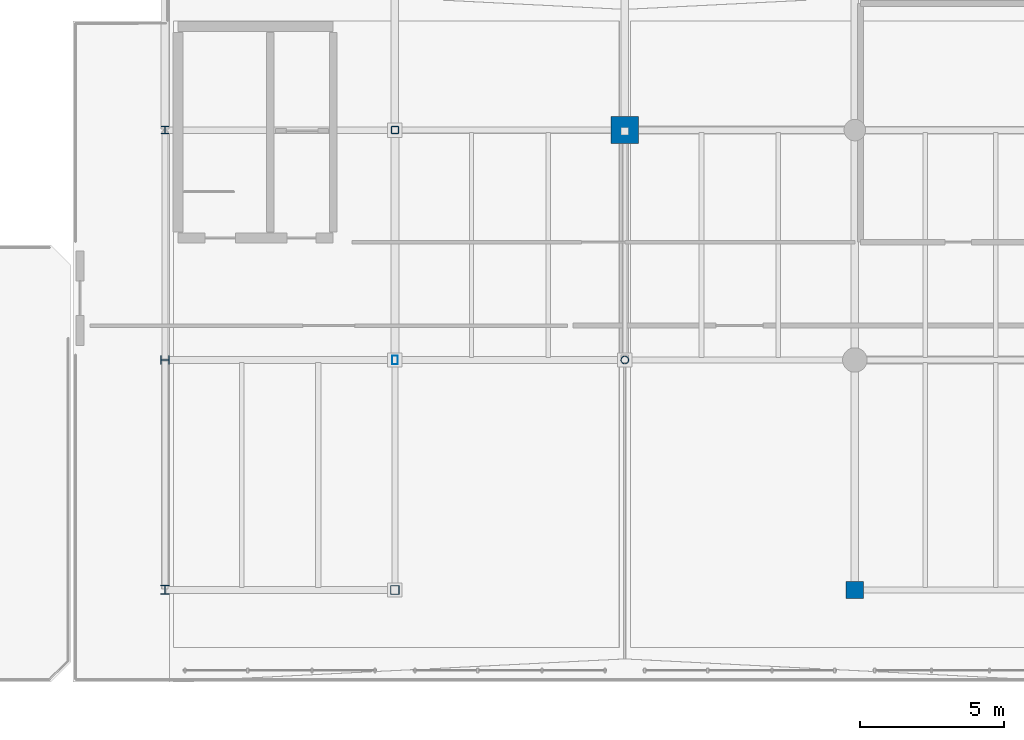
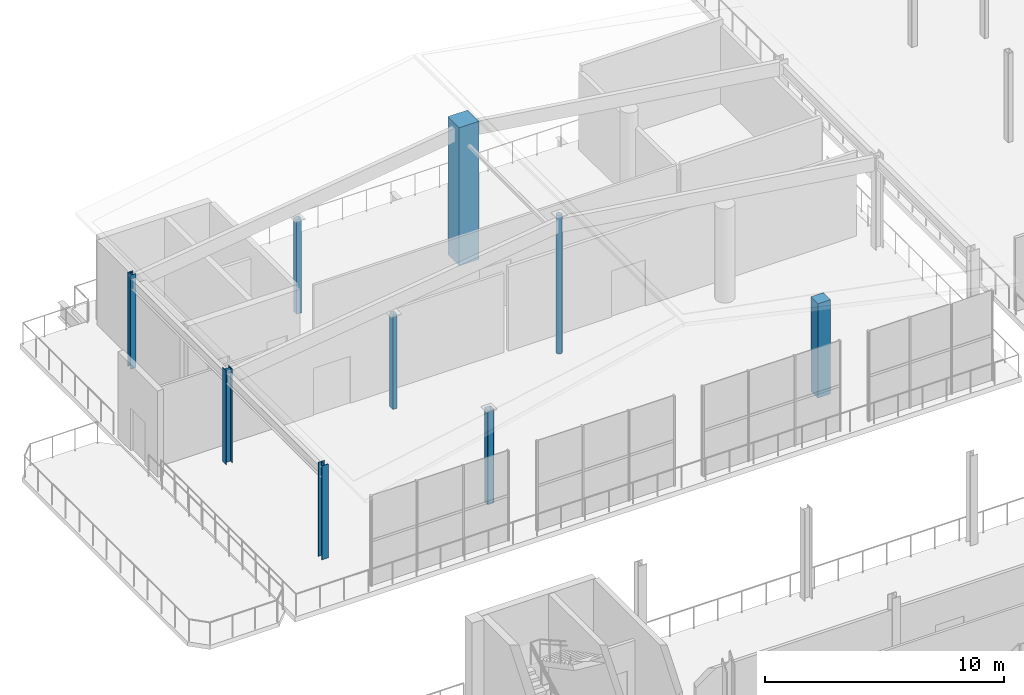
# One storey, part 6 of 70: 9 columns.
"""IFC4 building model written with IfcOpenShell, lengths in metres."""

import ifcopenshell
import ifcopenshell.guid

model = None  # the IFC model being written
_history = None  # IfcOwnerHistory: only IFC2X3 demands one
_inside = {}  # id of a spatial element -> (the spatial element, [elements in it])
_under = {}  # id of a project, library or spatial element -> (it, [spatial elements below it])
_declared = {}  # id of a project -> (the project, [libraries it declares])
_typed = {}  # id of a type object -> (the type object, [elements of that type])
_made_of = {}  # id of a material, layer set ... -> (it, [elements and type objects made of it])


def new_model(schema):
    """Start an empty IFC model of exactly this schema.

    Asked for "IFC4X3", IfcOpenShell would pick the latest addendum, in which some entities
    have other attributes; the version numbers below select the first issue.
    IFC2X3 requires an IfcOwnerHistory on every rooted entity: one is made here for all.
    """
    global model, _history
    if schema == "IFC4X3":
        model = ifcopenshell.file(schema_version=(4, 3, 0, 0))
    else:
        model = ifcopenshell.file(schema=schema)
    _inside.clear()
    _under.clear()
    _declared.clear()
    _typed.clear()
    _made_of.clear()
    _history = None
    if model.schema == "IFC2X3":
        org = make("IfcOrganization", Name="unknown")
        user = make(
            "IfcPersonAndOrganization",
            ThePerson=make("IfcPerson", FamilyName="unknown"),
            TheOrganization=org,
        )
        app = make(
            "IfcApplication",
            ApplicationDeveloper=org,
            Version="unknown",
            ApplicationFullName="unknown",
            ApplicationIdentifier="unknown",
        )
        _history = make(
            "IfcOwnerHistory",
            OwningUser=user,
            OwningApplication=app,
            ChangeAction="ADDED",
            CreationDate=0,
        )
    return model


def make(cls, **values):
    """One entity of the class cls with the attributes given. An attribute that is None is left unset."""
    return model.create_entity(
        cls, **{name: value for name, value in values.items() if value is not None}
    )


def rooted(cls, **values):
    """An entity with a GlobalId (a new one), such as an element, a storey or a relation."""
    return make(cls, GlobalId=ifcopenshell.guid.new(), OwnerHistory=_history, **values)


def si_unit(unit_type, name, prefix=None):
    """IfcSIUnit, for example si_unit("LENGTHUNIT", "METRE", prefix="MILLI")."""
    return make("IfcSIUnit", UnitType=unit_type, Prefix=prefix, Name=name)


def assignment(units):
    """IfcUnitAssignment: the units of a project."""
    return None if units is None else make("IfcUnitAssignment", Units=units)


def point(xyz):
    """IfcCartesianPoint."""
    return None if xyz is None else make("IfcCartesianPoint", Coordinates=xyz)


def direction(xyz):
    """IfcDirection."""
    return None if xyz is None else make("IfcDirection", DirectionRatios=xyz)


def frame(location, z_axis=None, x_axis=None):
    """IfcAxis2Placement3D, a coordinate frame: its origin and axes. An axis left out is left unset."""
    return make(
        "IfcAxis2Placement3D",
        Location=point(location),
        Axis=direction(z_axis),
        RefDirection=direction(x_axis),
    )


def frame_2d(location, x_axis=None):
    """IfcAxis2Placement2D, a coordinate frame in the plane: its origin and x axis."""
    return make(
        "IfcAxis2Placement2D", Location=point(location), RefDirection=direction(x_axis)
    )


def origin():
    """The frame at (0, 0, 0) with its axes left unset."""
    return frame((0.0, 0.0, 0.0))


def origin_2d():
    """The frame at (0, 0) in the plane with its x axis left unset."""
    return frame_2d((0.0, 0.0))


def place(relative_to, where):
    """IfcLocalPlacement: puts the frame where relative to a parent placement (None: the world)."""
    return make(
        "IfcLocalPlacement", PlacementRelTo=relative_to, RelativePlacement=where
    )


def context(
    kind, dimensions, precision=None, world=None, true_north=None, identifier=None
):
    """IfcGeometricRepresentationContext, for example the 3D "Model" context."""
    return make(
        "IfcGeometricRepresentationContext",
        ContextIdentifier=identifier,
        ContextType=kind,
        CoordinateSpaceDimension=dimensions,
        Precision=precision,
        WorldCoordinateSystem=world,
        TrueNorth=true_north,
    )


def subcontext(parent, identifier, kind, view, scale=None):
    """IfcGeometricRepresentationSubContext, for example "Body" below "Model"."""
    return make(
        "IfcGeometricRepresentationSubContext",
        ContextIdentifier=identifier,
        ContextType=kind,
        ParentContext=parent,
        TargetScale=scale,
        TargetView=view,
    )


def project(units=None, contexts=None):
    """IfcProject with its units and contexts."""
    return rooted(
        "IfcProject",
        Name="project",
        RepresentationContexts=contexts,
        UnitsInContext=assignment(units),
    )


def spatial(cls, under=None, at=None, **own):
    """A site, building, storey or space (cls), placed at a placement, below another one or the project."""
    s = rooted(cls, ObjectPlacement=at, **own)
    if under is not None:
        _under.setdefault(under.id(), (under, []))[1].append(s)
    return s


def profile(cls, at=None, kind="AREA", **sizes):
    """A parametric profile (cls). Its sizes go by their IFC names, for example OverallWidth=200.0."""
    return make(cls, ProfileType=kind, Position=at, **sizes)


def rectangle(**sizes):
    """IfcRectangleProfileDef."""
    return profile("IfcRectangleProfileDef", **sizes)


def hollow_rectangle(**sizes):
    """IfcRectangleHollowProfileDef."""
    return profile("IfcRectangleHollowProfileDef", **sizes)


def hollow_circle(**sizes):
    """IfcCircleHollowProfileDef."""
    return profile("IfcCircleHollowProfileDef", **sizes)


def i_section(**sizes):
    """IfcIShapeProfileDef."""
    return profile("IfcIShapeProfileDef", **sizes)


def extrude(swept, where, along, depth):
    """IfcExtrudedAreaSolid: the profile swept, set in the frame where, extruded along a direction by depth."""
    return make(
        "IfcExtrudedAreaSolid",
        SweptArea=swept,
        Position=where,
        ExtrudedDirection=direction(along),
        Depth=depth,
    )


def shape(context_of_items, identifier, shape_type, items):
    """IfcShapeRepresentation: the items that make up one representation, for example the "Body"."""
    return make(
        "IfcShapeRepresentation",
        ContextOfItems=context_of_items,
        RepresentationIdentifier=identifier,
        RepresentationType=shape_type,
        Items=items,
    )


def material(Name=None, Category=None):
    """IfcMaterial."""
    return make("IfcMaterial", Name=Name, Category=Category)


def material_profile(
    of_material, cross_section, Name=None, Category=None, Priority=None
):
    """IfcMaterialProfile: a cross section and its material."""
    return make(
        "IfcMaterialProfile",
        Name=Name,
        Material=of_material,
        Profile=cross_section,
        Priority=Priority,
        Category=Category,
    )


def profile_set(profiles, Name=None, composite=None):
    """IfcMaterialProfileSet."""
    return make(
        "IfcMaterialProfileSet",
        Name=Name,
        MaterialProfiles=profiles,
        CompositeProfile=composite,
    )


def made_of(thing, what):
    """Note that an element or type object is made of a material, layer set ...; save() writes the relation."""
    if what is not None:
        _made_of.setdefault(what.id(), (what, []))[1].append(thing)
    return thing


def type_object(cls, material=None, **own):
    """A type object (cls), such as IfcWallType, which elements share."""
    return made_of(rooted(cls, **own), material)


def element(
    cls,
    number,
    at=None,
    inside=None,
    cuts=None,
    type_object=None,
    material=None,
    context=None,
    identifier="Body",
    shape_type=None,
    held_by="IfcProductDefinitionShape",
    body=None,
    shapes=None,
    **own,
):
    """One element of the class cls, such as IfcWall. Its Tag is "e" and its number.

    at: its placement. inside: the storey or other place that contains it. cuts: it is an
    opening in that element (IfcRelVoidsElement). A single representation is given by context,
    identifier, shape_type and body (its items); several are given by shapes. held_by: the class
    of the entity that holds the representations. save() writes the other relations.
    """
    e = rooted(cls, Tag="e%d" % number, ObjectPlacement=at, **own)
    if body is not None:
        shapes = [shape(context, identifier, shape_type, body)]
    if shapes is not None:
        e.Representation = make(held_by, Representations=shapes)
    if inside is not None:
        _inside.setdefault(inside.id(), (inside, []))[1].append(e)
    if cuts is not None:
        rooted(
            "IfcRelVoidsElement", RelatingBuildingElement=cuts, RelatedOpeningElement=e
        )
    if type_object is not None:
        _typed.setdefault(type_object.id(), (type_object, []))[1].append(e)
    return made_of(e, material)


def aggregate(whole, parts):
    """IfcRelAggregates: a whole, such as a stair, and the parts it consists of."""
    return rooted("IfcRelAggregates", RelatingObject=whole, RelatedObjects=parts)


def save(model, path):
    """Write the relations noted so far, then the file.

    IfcRelAggregates (storeys below a building ...), IfcRelContainedInSpatialStructure (elements
    in a storey), IfcRelDefinesByType, IfcRelAssociatesMaterial and IfcRelDeclares: one each for
    every whole, place, type object, material and project.
    """
    for whole, parts in _under.values():
        aggregate(whole, parts)
    for where, things in _inside.values():
        rooted(
            "IfcRelContainedInSpatialStructure",
            RelatedElements=things,
            RelatingStructure=where,
        )
    for kind, things in _typed.values():
        rooted("IfcRelDefinesByType", RelatedObjects=things, RelatingType=kind)
    for what, things in _made_of.values():
        rooted("IfcRelAssociatesMaterial", RelatedObjects=things, RelatingMaterial=what)
    for by, libraries in _declared.values():
        rooted("IfcRelDeclares", RelatingContext=by, RelatedDefinitions=libraries)
    model.write(path)


model = new_model("IFC4")

# Units and contexts
model_context = context("Model", 3, precision=1e-05, world=origin(), true_north=direction((0.0, 1.0)))
body_context = subcontext(model_context, "Body", "Model", "MODEL_VIEW")
ifc_project = project(units=[si_unit("LENGTHUNIT", "METRE"), si_unit("AREAUNIT", "SQUARE_METRE"), si_unit("VOLUMEUNIT", "CUBIC_METRE"), si_unit("PLANEANGLEUNIT", "RADIAN"), si_unit("MASSUNIT", "GRAM", prefix="KILO")], contexts=[model_context])

# Site, building, storey
site_placement = place(None, origin())
site = spatial("IfcSite", under=ifc_project, at=site_placement, CompositionType="ELEMENT")
building_placement = place(site_placement, origin())
building = spatial("IfcBuilding", under=site, at=building_placement, Name="Brisemont Oceanarium", CompositionType="ELEMENT")
storey_placement = place(building_placement, frame((0.0, 0.0, 10.199951171875)))
storey = spatial("IfcBuildingStorey", under=building, at=storey_placement, Name="L02", CompositionType="ELEMENT", Elevation=10.199951171875)

# Columns
ifc_material_1 = material(Name="Structural Steel ASTM A500 Gr.C", Category="steel")
ifc_material_profile_1 = material_profile(ifc_material_1, hollow_circle(Radius=0.136474609375, WallThickness=0.01171875, at=origin_2d()), Name="HSS10.750X0.500")
ifc_profile_set_1 = profile_set([ifc_material_profile_1], Name="Structural Steel ASTM A500 Gr.C")
column_type_1 = type_object("IfcColumnType", Name="COL-CHS10", PredefinedType="COLUMN", material=ifc_profile_set_1)
column_1_placement = place(storey_placement, frame((40.0, 52.0, 0.0), z_axis=(0.0, 0.0, 1.0), x_axis=(0.0, 1.0, 0.0)))
element("IfcColumn", 1, at=column_1_placement, inside=storey, type_object=column_type_1, Name="V5W L02 column (3,2)", PredefinedType="COLUMN", context=body_context, shape_type="SweptSolid", body=[
    extrude(hollow_circle(Radius=0.136474609375, WallThickness=0.01171875, at=origin_2d()), origin(), (0.0, 0.0, 1.0), 7.050048828125),
])
ifc_material_2 = material(Name="Structural Steel ASTM A500 Gr.C", Category="steel")
ifc_material_profile_2 = material_profile(ifc_material_2, hollow_rectangle(XDim=0.25390625, YDim=0.25390625, WallThickness=0.01171875, InnerFilletRadius=0.01220703125, OuterFilletRadius=0.02392578125, at=origin_2d()), Name="HSS10X10X1/2")
ifc_profile_set_2 = profile_set([ifc_material_profile_2], Name="Structural Steel ASTM A500 Gr.C")
column_type_2 = type_object("IfcColumnType", Name="COL-HSS10X10", PredefinedType="COLUMN", material=ifc_profile_set_2)
column_2_placement = place(storey_placement, frame((32.0, 60.0, 0.0), z_axis=(0.0, 0.0, 1.0), x_axis=(0.0, 1.0, 0.0)))
element("IfcColumn", 2, at=column_2_placement, inside=storey, type_object=column_type_2, Name="V5W L02 column (2,3)", PredefinedType="COLUMN", context=body_context, shape_type="SweptSolid", body=[
    extrude(hollow_rectangle(XDim=0.25390625, YDim=0.25390625, WallThickness=0.01171875, InnerFilletRadius=0.01220703125, OuterFilletRadius=0.02392578125, at=origin_2d()), origin(), (0.0, 0.0, 1.0), 4.800048828125),
])
ifc_material_3 = material(Name="Structural Steel ASTM A500 Gr.C", Category="steel")
ifc_material_profile_3 = material_profile(ifc_material_3, hollow_rectangle(XDim=0.304931640625, YDim=0.304931640625, WallThickness=0.01171875, InnerFilletRadius=0.01220703125, OuterFilletRadius=0.02392578125, at=origin_2d()), Name="HSS12X12X1/2")
ifc_profile_set_3 = profile_set([ifc_material_profile_3], Name="Structural Steel ASTM A500 Gr.C")
column_type_3 = type_object("IfcColumnType", Name="COL-HSS12X12", PredefinedType="COLUMN", material=ifc_profile_set_3)
column_3_placement = place(storey_placement, frame((32.0, 44.0, 0.0), z_axis=(0.0, 0.0, 1.0), x_axis=(0.0, 1.0, 0.0)))
element("IfcColumn", 3, at=column_3_placement, inside=storey, type_object=column_type_3, Name="V5W L02 column (2,1)", PredefinedType="COLUMN", context=body_context, shape_type="SweptSolid", body=[
    extrude(hollow_rectangle(XDim=0.304931640625, YDim=0.304931640625, WallThickness=0.01171875, InnerFilletRadius=0.01220703125, OuterFilletRadius=0.02392578125, at=origin_2d()), origin(), (0.0, 0.0, 1.0), 4.800048828125),
])
ifc_material_4 = material(Name="Structural Steel ASTM A500 Gr.C", Category="steel")
ifc_material_profile_4 = material_profile(ifc_material_4, hollow_rectangle(XDim=0.202880859375, YDim=0.304931640625, WallThickness=0.0087890625, InnerFilletRadius=0.009033203125, OuterFilletRadius=0.01806640625, at=origin_2d()), Name="HSS12X8X3/8")
ifc_profile_set_4 = profile_set([ifc_material_profile_4], Name="Structural Steel ASTM A500 Gr.C")
column_type_4 = type_object("IfcColumnType", Name="COL-HSS12X8", PredefinedType="COLUMN", material=ifc_profile_set_4)
column_4_placement = place(storey_placement, frame((32.0, 52.0, 0.0), z_axis=(0.0, 0.0, 1.0), x_axis=(1.0, 0.0, 0.0)))
element("IfcColumn", 4, at=column_4_placement, inside=storey, type_object=column_type_4, Name="V5W L02 column (2,2)", PredefinedType="COLUMN", context=body_context, shape_type="SweptSolid", body=[
    extrude(hollow_rectangle(XDim=0.202880859375, YDim=0.304931640625, WallThickness=0.0087890625, InnerFilletRadius=0.009033203125, OuterFilletRadius=0.01806640625, at=origin_2d()), origin(), (0.0, 0.0, 1.0), 4.800048828125),
])
ifc_material_5 = material(Name="Concrete C35/45", Category="concrete")
ifc_material_profile_5 = material_profile(ifc_material_5, rectangle(XDim=0.60009765625, YDim=0.60009765625, at=origin_2d()), Name="RC-COL-600X600")
ifc_profile_set_5 = profile_set([ifc_material_profile_5], Name="Concrete C35/45")
column_type_5 = type_object("IfcColumnType", Name="COL-RC600", PredefinedType="COLUMN", material=ifc_profile_set_5)
column_5_placement = place(storey_placement, frame((48.0, 44.0, 0.0), z_axis=(0.0, 0.0, 1.0), x_axis=(0.0, 1.0, 0.0)))
element("IfcColumn", 5, at=column_5_placement, inside=storey, type_object=column_type_5, Name="V5W L02 column (4,1)", PredefinedType="COLUMN", context=body_context, shape_type="SweptSolid", body=[
    extrude(rectangle(XDim=0.60009765625, YDim=0.60009765625, at=origin_2d()), origin(), (0.0, 0.0, 1.0), 4.800048828125),
])
ifc_material_6 = material(Name="Concrete C40/50", Category="concrete")
ifc_material_profile_6 = material_profile(ifc_material_6, rectangle(XDim=0.949951171875, YDim=0.949951171875, at=origin_2d()), Name="RC-COL-950X950")
ifc_profile_set_6 = profile_set([ifc_material_profile_6], Name="Concrete C40/50")
column_type_6 = type_object("IfcColumnType", Name="COL-RC950", PredefinedType="COLUMN", material=ifc_profile_set_6)
column_6_placement = place(storey_placement, frame((40.0, 60.0, 0.0), z_axis=(0.0, 0.0, 1.0), x_axis=(1.0, 0.0, 0.0)))
element("IfcColumn", 6, at=column_6_placement, inside=storey, type_object=column_type_6, Name="V5W L02 column (3,3)", PredefinedType="COLUMN", context=body_context, shape_type="SweptSolid", body=[
    extrude(rectangle(XDim=0.949951171875, YDim=0.949951171875, at=origin_2d()), origin(), (0.0, 0.0, 1.0), 7.050048828125),
])
ifc_material_7 = material(Name="Structural Steel ASTM A992 Gr.50", Category="steel")
ifc_material_profile_7 = material_profile(ifc_material_7, i_section(OverallWidth=0.256103515625, OverallDepth=0.260009765625, WebThickness=0.0107421875, FlangeThickness=0.017333984375, FilletRadius=0.010986328125, at=origin_2d()), Name="W10X60")
ifc_profile_set_7 = profile_set([ifc_material_profile_7], Name="Structural Steel ASTM A992 Gr.50")
column_type_7 = type_object("IfcColumnType", Name="COL-W10X60", PredefinedType="COLUMN", material=ifc_profile_set_7)
column_7_placement = place(storey_placement, frame((24.0, 60.0, 0.0), z_axis=(0.0, 0.0, 1.0), x_axis=(1.0, 0.0, 0.0)))
element("IfcColumn", 7, at=column_7_placement, inside=storey, type_object=column_type_7, Name="V5W L02 column (1,3)", PredefinedType="COLUMN", context=body_context, shape_type="SweptSolid", body=[
    extrude(i_section(OverallWidth=0.256103515625, OverallDepth=0.260009765625, WebThickness=0.0107421875, FlangeThickness=0.017333984375, FilletRadius=0.010986328125, at=origin_2d()), origin(), (0.0, 0.0, 1.0), 4.800048828125),
])
ifc_material_8 = material(Name="Structural Steel ASTM A992 Gr.50", Category="steel")
ifc_material_profile_8 = material_profile(ifc_material_8, i_section(OverallWidth=0.304931640625, OverallDepth=0.306884765625, WebThickness=0.010009765625, FlangeThickness=0.015380859375, FilletRadius=0.012939453125, at=origin_2d()), Name="W12X65")
ifc_profile_set_8 = profile_set([ifc_material_profile_8], Name="Structural Steel ASTM A992 Gr.50")
column_type_8 = type_object("IfcColumnType", Name="COL-W12X65", PredefinedType="COLUMN", material=ifc_profile_set_8)
column_8_placement = place(storey_placement, frame((24.0, 52.0, 0.0), z_axis=(0.0, 0.0, 1.0), x_axis=(0.0, 1.0, 0.0)))
element("IfcColumn", 8, at=column_8_placement, inside=storey, type_object=column_type_8, Name="V5W L02 column (1,2)", PredefinedType="COLUMN", context=body_context, shape_type="SweptSolid", body=[
    extrude(i_section(OverallWidth=0.304931640625, OverallDepth=0.306884765625, WebThickness=0.010009765625, FlangeThickness=0.015380859375, FilletRadius=0.012939453125, at=origin_2d()), origin(), (0.0, 0.0, 1.0), 4.800048828125),
])
ifc_material_9 = material(Name="Structural Steel ASTM A992 Gr.50", Category="steel")
ifc_material_profile_9 = material_profile(ifc_material_9, i_section(OverallWidth=0.305908203125, OverallDepth=0.31103515625, WebThickness=0.010986328125, FlangeThickness=0.01708984375, FilletRadius=0.012939453125, at=origin_2d()), Name="W12X72")
ifc_profile_set_9 = profile_set([ifc_material_profile_9], Name="Structural Steel ASTM A992 Gr.50")
column_type_9 = type_object("IfcColumnType", Name="COL-W12X72", PredefinedType="COLUMN", material=ifc_profile_set_9)
column_9_placement = place(storey_placement, frame((24.0, 44.0, 0.0), z_axis=(0.0, 0.0, 1.0), x_axis=(1.0, 0.0, 0.0)))
element("IfcColumn", 9, at=column_9_placement, inside=storey, type_object=column_type_9, Name="V5W L02 column (1,1)", PredefinedType="COLUMN", context=body_context, shape_type="SweptSolid", body=[
    extrude(i_section(OverallWidth=0.305908203125, OverallDepth=0.31103515625, WebThickness=0.010986328125, FlangeThickness=0.01708984375, FilletRadius=0.012939453125, at=origin_2d()), origin(), (0.0, 0.0, 1.0), 4.800048828125),
])

save(model, "model.ifc")
